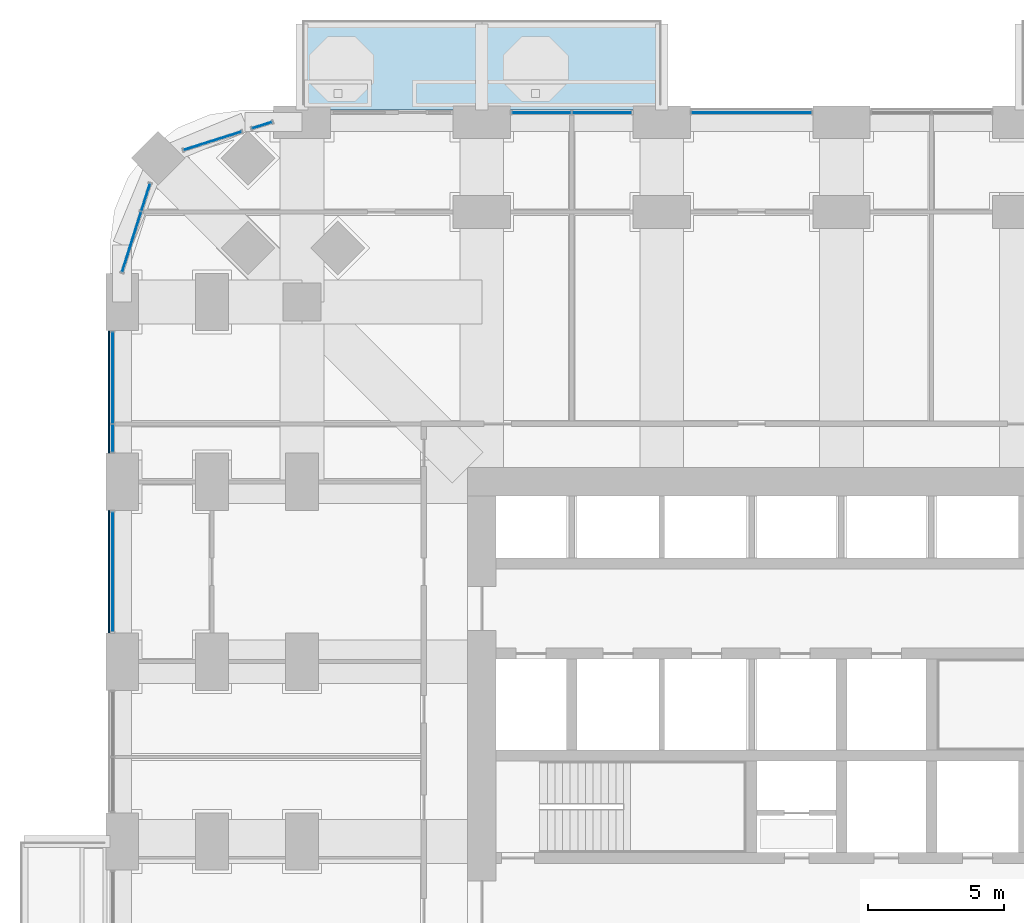
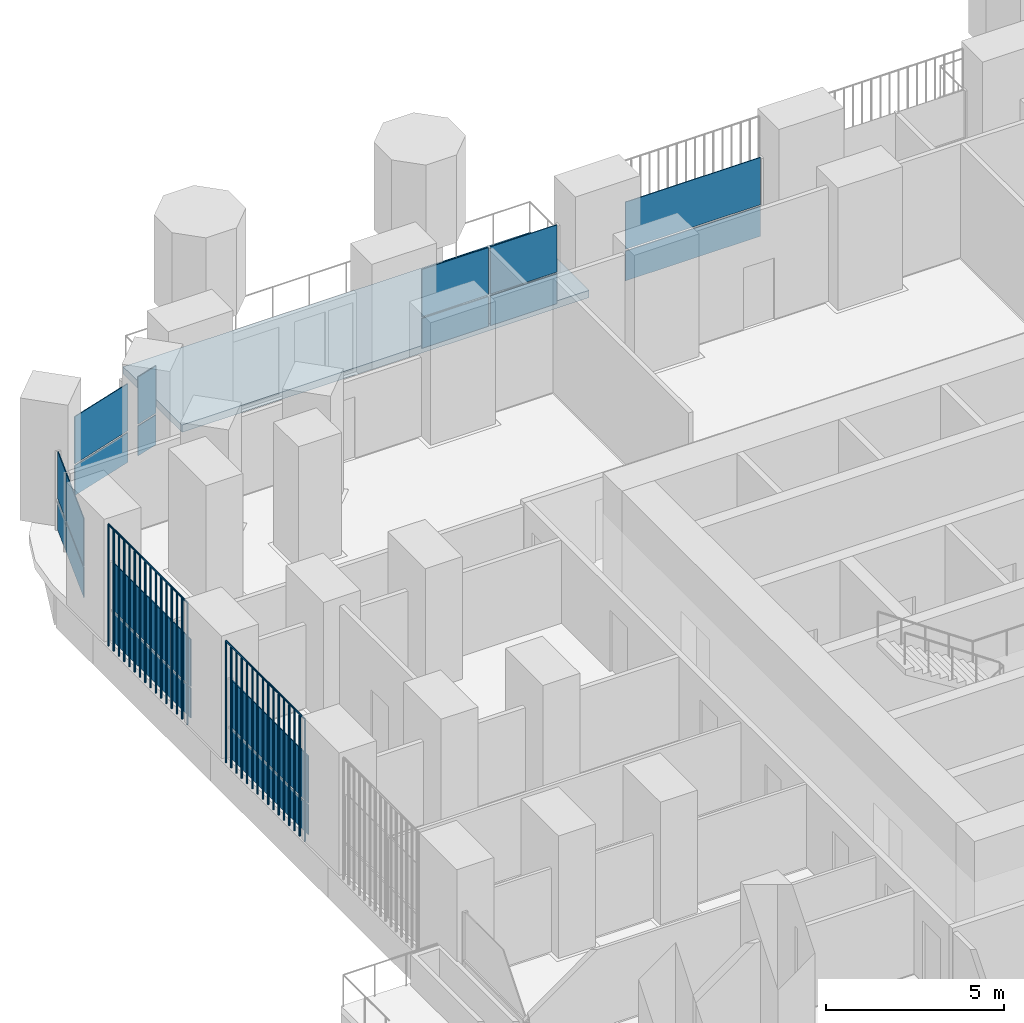
# One storey, part 15 of 27: 22 plates, 1 slab, 7 elements without a shape of their own.
"""IFC4 building model written with IfcOpenShell, lengths in metres."""

from ifc_helpers import new_model, si_unit, direction, frame, origin, origin_2d, place, context, subcontext, project, spatial, polyline, rectangle, outline, extrude, material, layer, layer_set, type_object, element, aggregate, save


model = new_model("IFC4")

# Units and contexts
model_context = context("Model", 3, precision=1e-05, world=origin(), true_north=direction((0.0, 1.0)))
body_context = subcontext(model_context, "Body", "Model", "MODEL_VIEW")
ifc_project = project(units=[si_unit("LENGTHUNIT", "METRE"), si_unit("AREAUNIT", "SQUARE_METRE"), si_unit("VOLUMEUNIT", "CUBIC_METRE"), si_unit("PLANEANGLEUNIT", "RADIAN"), si_unit("MASSUNIT", "GRAM", prefix="KILO")], contexts=[model_context])

# Site, building, storey
site_placement = place(None, origin())
site = spatial("IfcSite", under=ifc_project, at=site_placement, CompositionType="ELEMENT")
building_placement = place(site_placement, origin())
building = spatial("IfcBuilding", under=site, at=building_placement, Name="Cobogo Forest Laboratory Tower", CompositionType="ELEMENT")
storey_placement = place(building_placement, frame((0.0, 0.0, 54.89990234375)))
storey = spatial("IfcBuildingStorey", under=building, at=storey_placement, Name="L12", CompositionType="ELEMENT", Elevation=54.89990234375)

# Slab
ifc_material_1 = material(Name="Concrete HA-40 (C40/50)", Category="concrete")
ifc_layer_1 = layer(ifc_material_1, 0.25)
ifc_layer_set_1 = layer_set([ifc_layer_1], Name="Balcony slab 250")
slab_type = type_object("IfcSlabType", Name="Balcony slab 250", PredefinedType="FLOOR", material=ifc_layer_set_1)
slab_placement = place(storey_placement, frame((0.0, 0.0, -0.25)))
element("IfcSlab", 1, at=slab_placement, inside=storey, type_object=slab_type, Name="Balcony BAL-N1 L12", PredefinedType="FLOOR", context=body_context, shape_type="SweptSolid", body=[
    extrude(outline(polyline([(6.60009765625, 46.64990234375), (19.800048828125, 46.64990234375), (19.800048828125, 49.949951171875), (6.60009765625, 49.949951171875), (6.60009765625, 46.64990234375)])), origin(), (0.0, 0.0, 1.0), 0.25),
])

# Curtain wall, plates
ifc_material_2 = material(Name="Aluminium curtain wall", Category="aluminium")
curtain_wall_type = type_object("IfcCurtainWallType", Name="CW-1 unitised curtain wall, clear glazing, laboratory floors zones A and B", PredefinedType="USERDEFINED", material=ifc_material_2)
curtain_wall_1_placement = place(storey_placement, origin())
curtain_wall_1 = element("IfcCurtainWall", 2, at=curtain_wall_1_placement, inside=storey, type_object=curtain_wall_type, Name="Curtain wall 21 L12", ObjectType="UNITISED CURTAIN WALL", PredefinedType="USERDEFINED")
ifc_material_3 = material(Name="Clear insulated glass", Category="glass")
ifc_layer_2 = layer(ifc_material_3, 0.028076171875)
ifc_layer_set_2 = layer_set([ifc_layer_2], Name="GP-1 clear insulated glass unit 28")
plate_type_1 = type_object("IfcPlateType", Name="GP-1 clear insulated glass unit 28", PredefinedType="CURTAIN_PANEL", material=ifc_layer_set_2)
plate_1_placement = place(storey_placement, frame((23.10009765625, 46.550048828125, 0.0), z_axis=(0.0, 0.0, 1.0), x_axis=(-1.0, 0.0, 0.0)))
plate_1 = element("IfcPlate", 3, at=plate_1_placement, type_object=plate_type_1, Name="CW-1 panel 1.1", PredefinedType="CURTAIN_PANEL", context=body_context, shape_type="SweptSolid", body=[
    extrude(rectangle(XDim=4.3798828125, YDim=0.028076171875, at=origin_2d()), origin(), (0.0, 0.0, 1.0), 1.02001953125),
])
plate_2_placement = place(storey_placement, frame((23.10009765625, 46.550048828125, 1.080078125), z_axis=(0.0, 0.0, 1.0), x_axis=(-1.0, 0.0, 0.0)))
plate_2 = element("IfcPlate", 4, at=plate_2_placement, type_object=plate_type_1, Name="CW-1 panel 1.2", PredefinedType="CURTAIN_PANEL", context=body_context, shape_type="SweptSolid", body=[
    extrude(rectangle(XDim=4.3798828125, YDim=0.028076171875, at=origin_2d()), origin(), (0.0, 0.0, 1.0), 1.6201171875),
])
aggregate(curtain_wall_1, [plate_1, plate_2])

curtain_wall_2_placement = place(storey_placement, origin())
curtain_wall_2 = element("IfcCurtainWall", 5, at=curtain_wall_2_placement, inside=storey, type_object=curtain_wall_type, Name="Curtain wall 22 L12", ObjectType="UNITISED CURTAIN WALL", PredefinedType="USERDEFINED")
plate_3_placement = place(storey_placement, frame((17.610107421875, 46.550048828125, 0.0), z_axis=(0.0, 0.0, 1.0), x_axis=(-1.0, 0.0, 0.0)))
plate_3 = element("IfcPlate", 6, at=plate_3_placement, type_object=plate_type_1, Name="CW-1 panel 1.1", PredefinedType="CURTAIN_PANEL", context=body_context, shape_type="SweptSolid", body=[
    extrude(rectangle(XDim=2.159912109375, YDim=0.028076171875, at=origin_2d()), origin(), (0.0, 0.0, 1.0), 1.02001953125),
])
plate_4_placement = place(storey_placement, frame((17.610107421875, 46.550048828125, 1.080078125), z_axis=(0.0, 0.0, 1.0), x_axis=(-1.0, 0.0, 0.0)))
plate_4 = element("IfcPlate", 7, at=plate_4_placement, type_object=plate_type_1, Name="CW-1 panel 1.2", PredefinedType="CURTAIN_PANEL", context=body_context, shape_type="SweptSolid", body=[
    extrude(rectangle(XDim=2.159912109375, YDim=0.028076171875, at=origin_2d()), origin(), (0.0, 0.0, 1.0), 1.6201171875),
])
plate_5_placement = place(storey_placement, frame((15.389892578125, 46.550048828125, 0.0), z_axis=(0.0, 0.0, 1.0), x_axis=(-1.0, 0.0, 0.0)))
plate_5 = element("IfcPlate", 8, at=plate_5_placement, type_object=plate_type_1, Name="CW-1 panel 2.1", PredefinedType="CURTAIN_PANEL", context=body_context, shape_type="SweptSolid", body=[
    extrude(rectangle(XDim=2.159912109375, YDim=0.028076171875, at=origin_2d()), origin(), (0.0, 0.0, 1.0), 1.02001953125),
])
plate_6_placement = place(storey_placement, frame((15.389892578125, 46.550048828125, 1.080078125), z_axis=(0.0, 0.0, 1.0), x_axis=(-1.0, 0.0, 0.0)))
plate_6 = element("IfcPlate", 9, at=plate_6_placement, type_object=plate_type_1, Name="CW-1 panel 2.2", PredefinedType="CURTAIN_PANEL", context=body_context, shape_type="SweptSolid", body=[
    extrude(rectangle(XDim=2.159912109375, YDim=0.028076171875, at=origin_2d()), origin(), (0.0, 0.0, 1.0), 1.6201171875),
])
aggregate(curtain_wall_2, [plate_3, plate_4, plate_5, plate_6])

curtain_wall_3_placement = place(storey_placement, origin())
curtain_wall_3 = element("IfcCurtainWall", 10, at=curtain_wall_3_placement, inside=storey, type_object=curtain_wall_type, Name="Curtain wall 24 L12", ObjectType="UNITISED CURTAIN WALL", PredefinedType="USERDEFINED")
plate_7_placement = place(storey_placement, frame((5.134033203125, 46.087158203125, 0.0), z_axis=(0.0, 0.0, 1.0), x_axis=(-0.953581504428, -0.301135043481, 0.0)))
plate_7 = element("IfcPlate", 11, at=plate_7_placement, type_object=plate_type_1, Name="CW-1 panel 1.1", PredefinedType="CURTAIN_PANEL", context=body_context, shape_type="SweptSolid", body=[
    extrude(rectangle(XDim=0.75244140625, YDim=0.028076171875, at=origin_2d()), origin(), (0.0, 0.0, 1.0), 1.02001953125),
])
plate_8_placement = place(storey_placement, frame((5.134033203125, 46.087158203125, 1.080078125), z_axis=(0.0, 0.0, 1.0), x_axis=(-0.953581504428, -0.301135043481, 0.0)))
plate_8 = element("IfcPlate", 12, at=plate_8_placement, type_object=plate_type_1, Name="CW-1 panel 1.2", PredefinedType="CURTAIN_PANEL", context=body_context, shape_type="SweptSolid", body=[
    extrude(rectangle(XDim=0.75244140625, YDim=0.028076171875, at=origin_2d()), origin(), (0.0, 0.0, 1.0), 1.6201171875),
])
aggregate(curtain_wall_3, [plate_7, plate_8])

curtain_wall_4_placement = place(storey_placement, origin())
curtain_wall_4 = element("IfcCurtainWall", 13, at=curtain_wall_4_placement, inside=storey, type_object=curtain_wall_type, Name="Curtain wall 25 L12", ObjectType="UNITISED CURTAIN WALL", PredefinedType="USERDEFINED")
plate_9_placement = place(storey_placement, frame((3.31787109375, 45.513427734375, 0.0), z_axis=(0.0, 0.0, 1.0), x_axis=(-0.953581409645, -0.301135343623, 0.0)))
plate_9 = element("IfcPlate", 14, at=plate_9_placement, type_object=plate_type_1, Name="CW-1 panel 1.1", PredefinedType="CURTAIN_PANEL", context=body_context, shape_type="SweptSolid", body=[
    extrude(rectangle(XDim=2.203369140625, YDim=0.028076171875, at=origin_2d()), origin(), (0.0, 0.0, 1.0), 1.02001953125),
])
plate_10_placement = place(storey_placement, frame((3.31787109375, 45.513427734375, 1.080078125), z_axis=(0.0, 0.0, 1.0), x_axis=(-0.953581409645, -0.301135343623, 0.0)))
plate_10 = element("IfcPlate", 15, at=plate_10_placement, type_object=plate_type_1, Name="CW-1 panel 1.2", PredefinedType="CURTAIN_PANEL", context=body_context, shape_type="SweptSolid", body=[
    extrude(rectangle(XDim=2.203369140625, YDim=0.028076171875, at=origin_2d()), origin(), (0.0, 0.0, 1.0), 1.6201171875),
])
aggregate(curtain_wall_4, [plate_9, plate_10])

curtain_wall_5_placement = place(storey_placement, origin())
curtain_wall_5 = element("IfcCurtainWall", 16, at=curtain_wall_5_placement, inside=storey, type_object=curtain_wall_type, Name="Curtain wall 26 L12", ObjectType="UNITISED CURTAIN WALL", PredefinedType="USERDEFINED")
plate_11_placement = place(storey_placement, frame((0.863525390625, 43.442626953125, 0.0), z_axis=(0.0, 0.0, 1.0), x_axis=(-0.30113535792, -0.95358140513, 0.0)))
plate_11 = element("IfcPlate", 17, at=plate_11_placement, type_object=plate_type_1, Name="CW-1 panel 1.1", PredefinedType="CURTAIN_PANEL", context=body_context, shape_type="SweptSolid", body=[
    extrude(rectangle(XDim=1.027587890625, YDim=0.028076171875, at=origin_2d()), origin(), (0.0, 0.0, 1.0), 1.02001953125),
])
plate_12_placement = place(storey_placement, frame((0.863525390625, 43.442626953125, 1.080078125), z_axis=(0.0, 0.0, 1.0), x_axis=(-0.30113535792, -0.95358140513, 0.0)))
plate_12 = element("IfcPlate", 18, at=plate_12_placement, type_object=plate_type_1, Name="CW-1 panel 1.2", PredefinedType="CURTAIN_PANEL", context=body_context, shape_type="SweptSolid", body=[
    extrude(rectangle(XDim=1.027587890625, YDim=0.028076171875, at=origin_2d()), origin(), (0.0, 0.0, 1.0), 1.6201171875),
])
plate_13_placement = place(storey_placement, frame((0.34521484375, 41.80126953125, 0.0), z_axis=(0.0, 0.0, 1.0), x_axis=(-0.30113535792, -0.95358140513, 0.0)))
plate_13 = element("IfcPlate", 19, at=plate_13_placement, type_object=plate_type_1, Name="CW-1 panel 2.1", PredefinedType="CURTAIN_PANEL", context=body_context, shape_type="SweptSolid", body=[
    extrude(rectangle(XDim=2.294677734375, YDim=0.028076171875, at=origin_2d()), origin(), (0.0, 0.0, 1.0), 1.02001953125),
])
plate_14_placement = place(storey_placement, frame((0.34521484375, 41.80126953125, 1.080078125), z_axis=(0.0, 0.0, 1.0), x_axis=(-0.30113535792, -0.95358140513, 0.0)))
plate_14 = element("IfcPlate", 20, at=plate_14_placement, type_object=plate_type_1, Name="CW-1 panel 2.2", PredefinedType="CURTAIN_PANEL", context=body_context, shape_type="SweptSolid", body=[
    extrude(rectangle(XDim=2.294677734375, YDim=0.028076171875, at=origin_2d()), origin(), (0.0, 0.0, 1.0), 1.6201171875),
])
aggregate(curtain_wall_5, [plate_11, plate_12, plate_13, plate_14])

curtain_wall_6_placement = place(storey_placement, origin())
curtain_wall_6 = element("IfcCurtainWall", 21, at=curtain_wall_6_placement, inside=storey, type_object=curtain_wall_type, Name="Curtain wall 27 L12", ObjectType="UNITISED CURTAIN WALL", PredefinedType="USERDEFINED")
plate_15_placement = place(storey_placement, frame((-0.35009765625, 36.822509765625, 0.0), z_axis=(0.0, 0.0, 1.0), x_axis=(0.0, -1.0, 0.0)))
plate_15 = element("IfcPlate", 22, at=plate_15_placement, type_object=plate_type_1, Name="CW-1 panel 1.1", PredefinedType="CURTAIN_PANEL", context=body_context, shape_type="SweptSolid", body=[
    extrude(rectangle(XDim=3.3349609375, YDim=0.028076171875, at=origin_2d()), origin(), (0.0, 0.0, 1.0), 1.02001953125),
])
plate_16_placement = place(storey_placement, frame((-0.35009765625, 36.822509765625, 1.080078125), z_axis=(0.0, 0.0, 1.0), x_axis=(0.0, -1.0, 0.0)))
plate_16 = element("IfcPlate", 23, at=plate_16_placement, type_object=plate_type_1, Name="CW-1 panel 1.2", PredefinedType="CURTAIN_PANEL", context=body_context, shape_type="SweptSolid", body=[
    extrude(rectangle(XDim=3.3349609375, YDim=0.028076171875, at=origin_2d()), origin(), (0.0, 0.0, 1.0), 1.6201171875),
])
plate_17_placement = place(storey_placement, frame((-0.35009765625, 34.6025390625, 0.0), z_axis=(0.0, 0.0, 1.0), x_axis=(0.0, -1.0, 0.0)))
plate_17 = element("IfcPlate", 24, at=plate_17_placement, type_object=plate_type_1, Name="CW-1 panel 2.1", PredefinedType="CURTAIN_PANEL", context=body_context, shape_type="SweptSolid", body=[
    extrude(rectangle(XDim=0.985107421875, YDim=0.028076171875, at=origin_2d()), origin(), (0.0, 0.0, 1.0), 1.02001953125),
])
plate_18_placement = place(storey_placement, frame((-0.35009765625, 34.6025390625, 1.080078125), z_axis=(0.0, 0.0, 1.0), x_axis=(0.0, -1.0, 0.0)))
plate_18 = element("IfcPlate", 25, at=plate_18_placement, type_object=plate_type_1, Name="CW-1 panel 2.2", PredefinedType="CURTAIN_PANEL", context=body_context, shape_type="SweptSolid", body=[
    extrude(rectangle(XDim=0.985107421875, YDim=0.028076171875, at=origin_2d()), origin(), (0.0, 0.0, 1.0), 1.6201171875),
])
aggregate(curtain_wall_6, [plate_15, plate_16, plate_17, plate_18])

curtain_wall_7_placement = place(storey_placement, origin())
curtain_wall_7 = element("IfcCurtainWall", 26, at=curtain_wall_7_placement, inside=storey, type_object=curtain_wall_type, Name="Curtain wall 28 L12", ObjectType="UNITISED CURTAIN WALL", PredefinedType="USERDEFINED")
plate_19_placement = place(storey_placement, frame((-0.35009765625, 29.699951171875, 0.0), z_axis=(0.0, 0.0, 1.0), x_axis=(0.0, -1.0, 0.0)))
plate_19 = element("IfcPlate", 27, at=plate_19_placement, type_object=plate_type_1, Name="CW-1 panel 1.1", PredefinedType="CURTAIN_PANEL", context=body_context, shape_type="SweptSolid", body=[
    extrude(rectangle(XDim=4.3798828125, YDim=0.028076171875, at=origin_2d()), origin(), (0.0, 0.0, 1.0), 1.02001953125),
])
plate_20_placement = place(storey_placement, frame((-0.35009765625, 29.699951171875, 1.080078125), z_axis=(0.0, 0.0, 1.0), x_axis=(0.0, -1.0, 0.0)))
plate_20 = element("IfcPlate", 28, at=plate_20_placement, type_object=plate_type_1, Name="CW-1 panel 1.2", PredefinedType="CURTAIN_PANEL", context=body_context, shape_type="SweptSolid", body=[
    extrude(rectangle(XDim=4.3798828125, YDim=0.028076171875, at=origin_2d()), origin(), (0.0, 0.0, 1.0), 1.6201171875),
])
aggregate(curtain_wall_7, [plate_19, plate_20])

# Plates
ifc_material_4 = material(Name="Terracotta", Category="masonry")
plate_type_2 = type_object("IfcPlateType", Name="TB1 terracotta baguette screen", PredefinedType="USERDEFINED", material=ifc_material_4)
plate_21_placement = place(storey_placement, frame((-0.477783203125, 27.481201171875, -0.14990234375)))
element("IfcPlate", 29, at=plate_21_placement, inside=storey, type_object=plate_type_2, Name="Baguette screen W4 L12", ObjectType="BAGUETTE SCREEN", PredefinedType="USERDEFINED", context=body_context, shape_type="SweptSolid", body=[
    extrude(outline(polyline([(0.02880859375, 0.011962890625), (0.011962890625, 0.02880859375), (-0.011962890625, 0.02880859375), (-0.02880859375, 0.011962890625), (-0.02880859375, -0.011962890625), (-0.011962890625, -0.02880859375), (0.011962890625, -0.02880859375), (0.02880859375, -0.011962890625), (0.02880859375, 0.011962890625)])), frame((0.0, 0.0, 4.168701171875), z_axis=(0.0, 1.0, 0.0), x_axis=(-1.0, 0.0, 0.0)), (0.0, 0.0, 1.0), 4.4375),
    extrude(outline(polyline([(0.02880859375, 0.011962890625), (0.011962890625, 0.02880859375), (-0.011962890625, 0.02880859375), (-0.02880859375, 0.011962890625), (-0.02880859375, -0.011962890625), (-0.011962890625, -0.02880859375), (0.011962890625, -0.02880859375), (0.02880859375, -0.011962890625), (0.02880859375, 0.011962890625)])), origin(), (0.0, 0.0, 1.0), 4.137451171875),
    extrude(outline(polyline([(0.02880859375, 0.011962890625), (0.011962890625, 0.02880859375), (-0.011962890625, 0.02880859375), (-0.02880859375, 0.011962890625), (-0.02880859375, -0.011962890625), (-0.011962890625, -0.02880859375), (0.011962890625, -0.02880859375), (0.02880859375, -0.011962890625), (0.02880859375, 0.011962890625)])), frame((0.0, 0.2958984375, 0.0)), (0.0, 0.0, 1.0), 4.137451171875),
    extrude(outline(polyline([(0.02880859375, 0.011962890625), (0.011962890625, 0.02880859375), (-0.011962890625, 0.02880859375), (-0.02880859375, 0.011962890625), (-0.02880859375, -0.011962890625), (-0.011962890625, -0.02880859375), (0.011962890625, -0.02880859375), (0.02880859375, -0.011962890625), (0.02880859375, 0.011962890625)])), frame((0.0, 0.591552734375, 0.0)), (0.0, 0.0, 1.0), 4.137451171875),
    extrude(outline(polyline([(0.02880859375, 0.011962890625), (0.011962890625, 0.02880859375), (-0.011962890625, 0.02880859375), (-0.02880859375, 0.011962890625), (-0.02880859375, -0.011962890625), (-0.011962890625, -0.02880859375), (0.011962890625, -0.02880859375), (0.02880859375, -0.011962890625), (0.02880859375, 0.011962890625)])), frame((0.0, 0.887451171875, 0.0)), (0.0, 0.0, 1.0), 4.137451171875),
    extrude(outline(polyline([(0.02880859375, 0.011962890625), (0.011962890625, 0.02880859375), (-0.011962890625, 0.02880859375), (-0.02880859375, 0.011962890625), (-0.02880859375, -0.011962890625), (-0.011962890625, -0.02880859375), (0.011962890625, -0.02880859375), (0.02880859375, -0.011962890625), (0.02880859375, 0.011962890625)])), frame((0.0, 1.183349609375, 0.0)), (0.0, 0.0, 1.0), 4.137451171875),
    extrude(outline(polyline([(0.02880859375, 0.011962890625), (0.011962890625, 0.02880859375), (-0.011962890625, 0.02880859375), (-0.02880859375, 0.011962890625), (-0.02880859375, -0.011962890625), (-0.011962890625, -0.02880859375), (0.011962890625, -0.02880859375), (0.02880859375, -0.011962890625), (0.02880859375, 0.011962890625)])), frame((0.0, 1.479248046875, 0.0)), (0.0, 0.0, 1.0), 4.137451171875),
    extrude(outline(polyline([(0.02880859375, 0.011962890625), (0.011962890625, 0.02880859375), (-0.011962890625, 0.02880859375), (-0.02880859375, 0.011962890625), (-0.02880859375, -0.011962890625), (-0.011962890625, -0.02880859375), (0.011962890625, -0.02880859375), (0.02880859375, -0.011962890625), (0.02880859375, 0.011962890625)])), frame((0.0, 1.77490234375, 0.0)), (0.0, 0.0, 1.0), 4.137451171875),
    extrude(outline(polyline([(0.02880859375, 0.011962890625), (0.011962890625, 0.02880859375), (-0.011962890625, 0.02880859375), (-0.02880859375, 0.011962890625), (-0.02880859375, -0.011962890625), (-0.011962890625, -0.02880859375), (0.011962890625, -0.02880859375), (0.02880859375, -0.011962890625), (0.02880859375, 0.011962890625)])), frame((0.0, 2.07080078125, 0.0)), (0.0, 0.0, 1.0), 4.137451171875),
    extrude(outline(polyline([(0.02880859375, 0.011962890625), (0.011962890625, 0.02880859375), (-0.011962890625, 0.02880859375), (-0.02880859375, 0.011962890625), (-0.02880859375, -0.011962890625), (-0.011962890625, -0.02880859375), (0.011962890625, -0.02880859375), (0.02880859375, -0.011962890625), (0.02880859375, 0.011962890625)])), frame((0.0, 2.36669921875, 0.0)), (0.0, 0.0, 1.0), 4.137451171875),
    extrude(outline(polyline([(0.02880859375, 0.011962890625), (0.011962890625, 0.02880859375), (-0.011962890625, 0.02880859375), (-0.02880859375, 0.011962890625), (-0.02880859375, -0.011962890625), (-0.011962890625, -0.02880859375), (0.011962890625, -0.02880859375), (0.02880859375, -0.011962890625), (0.02880859375, 0.011962890625)])), frame((0.0, 2.66259765625, 0.0)), (0.0, 0.0, 1.0), 4.137451171875),
    extrude(outline(polyline([(0.02880859375, 0.011962890625), (0.011962890625, 0.02880859375), (-0.011962890625, 0.02880859375), (-0.02880859375, 0.011962890625), (-0.02880859375, -0.011962890625), (-0.011962890625, -0.02880859375), (0.011962890625, -0.02880859375), (0.02880859375, -0.011962890625), (0.02880859375, 0.011962890625)])), frame((0.0, 2.958251953125, 0.0)), (0.0, 0.0, 1.0), 4.137451171875),
    extrude(outline(polyline([(0.02880859375, 0.011962890625), (0.011962890625, 0.02880859375), (-0.011962890625, 0.02880859375), (-0.02880859375, 0.011962890625), (-0.02880859375, -0.011962890625), (-0.011962890625, -0.02880859375), (0.011962890625, -0.02880859375), (0.02880859375, -0.011962890625), (0.02880859375, 0.011962890625)])), frame((0.0, 3.254150390625, 0.0)), (0.0, 0.0, 1.0), 4.137451171875),
    extrude(outline(polyline([(0.02880859375, 0.011962890625), (0.011962890625, 0.02880859375), (-0.011962890625, 0.02880859375), (-0.02880859375, 0.011962890625), (-0.02880859375, -0.011962890625), (-0.011962890625, -0.02880859375), (0.011962890625, -0.02880859375), (0.02880859375, -0.011962890625), (0.02880859375, 0.011962890625)])), frame((0.0, 3.550048828125, 0.0)), (0.0, 0.0, 1.0), 4.137451171875),
    extrude(outline(polyline([(0.02880859375, 0.011962890625), (0.011962890625, 0.02880859375), (-0.011962890625, 0.02880859375), (-0.02880859375, 0.011962890625), (-0.02880859375, -0.011962890625), (-0.011962890625, -0.02880859375), (0.011962890625, -0.02880859375), (0.02880859375, -0.011962890625), (0.02880859375, 0.011962890625)])), frame((0.0, 3.845947265625, 0.0)), (0.0, 0.0, 1.0), 4.137451171875),
    extrude(outline(polyline([(0.02880859375, 0.011962890625), (0.011962890625, 0.02880859375), (-0.011962890625, 0.02880859375), (-0.02880859375, 0.011962890625), (-0.02880859375, -0.011962890625), (-0.011962890625, -0.02880859375), (0.011962890625, -0.02880859375), (0.02880859375, -0.011962890625), (0.02880859375, 0.011962890625)])), frame((0.0, 4.1416015625, 0.0)), (0.0, 0.0, 1.0), 4.137451171875),
    extrude(outline(polyline([(0.02880859375, 0.011962890625), (0.011962890625, 0.02880859375), (-0.011962890625, 0.02880859375), (-0.02880859375, 0.011962890625), (-0.02880859375, -0.011962890625), (-0.011962890625, -0.02880859375), (0.011962890625, -0.02880859375), (0.02880859375, -0.011962890625), (0.02880859375, 0.011962890625)])), frame((0.0, 4.4375, 0.0)), (0.0, 0.0, 1.0), 4.137451171875),
])
plate_22_placement = place(storey_placement, frame((-0.477783203125, 34.081298828125, -0.14990234375)))
element("IfcPlate", 30, at=plate_22_placement, inside=storey, type_object=plate_type_2, Name="Baguette screen W5 L12", ObjectType="BAGUETTE SCREEN", PredefinedType="USERDEFINED", context=body_context, shape_type="SweptSolid", body=[
    extrude(outline(polyline([(0.02880859375, 0.011962890625), (0.011962890625, 0.02880859375), (-0.011962890625, 0.02880859375), (-0.02880859375, 0.011962890625), (-0.02880859375, -0.011962890625), (-0.011962890625, -0.02880859375), (0.011962890625, -0.02880859375), (0.02880859375, -0.011962890625), (0.02880859375, 0.011962890625)])), frame((0.0, 0.0, 4.168701171875), z_axis=(0.0, 1.0, 0.0), x_axis=(-1.0, 0.0, 0.0)), (0.0, 0.0, 1.0), 4.4375),
    extrude(outline(polyline([(0.02880859375, 0.011962890625), (0.011962890625, 0.02880859375), (-0.011962890625, 0.02880859375), (-0.02880859375, 0.011962890625), (-0.02880859375, -0.011962890625), (-0.011962890625, -0.02880859375), (0.011962890625, -0.02880859375), (0.02880859375, -0.011962890625), (0.02880859375, 0.011962890625)])), origin(), (0.0, 0.0, 1.0), 4.137451171875),
    extrude(outline(polyline([(0.02880859375, 0.011962890625), (0.011962890625, 0.02880859375), (-0.011962890625, 0.02880859375), (-0.02880859375, 0.011962890625), (-0.02880859375, -0.011962890625), (-0.011962890625, -0.02880859375), (0.011962890625, -0.02880859375), (0.02880859375, -0.011962890625), (0.02880859375, 0.011962890625)])), frame((0.0, 0.2958984375, 0.0)), (0.0, 0.0, 1.0), 4.137451171875),
    extrude(outline(polyline([(0.02880859375, 0.011962890625), (0.011962890625, 0.02880859375), (-0.011962890625, 0.02880859375), (-0.02880859375, 0.011962890625), (-0.02880859375, -0.011962890625), (-0.011962890625, -0.02880859375), (0.011962890625, -0.02880859375), (0.02880859375, -0.011962890625), (0.02880859375, 0.011962890625)])), frame((0.0, 0.591552734375, 0.0)), (0.0, 0.0, 1.0), 4.137451171875),
    extrude(outline(polyline([(0.02880859375, 0.011962890625), (0.011962890625, 0.02880859375), (-0.011962890625, 0.02880859375), (-0.02880859375, 0.011962890625), (-0.02880859375, -0.011962890625), (-0.011962890625, -0.02880859375), (0.011962890625, -0.02880859375), (0.02880859375, -0.011962890625), (0.02880859375, 0.011962890625)])), frame((0.0, 0.887451171875, 0.0)), (0.0, 0.0, 1.0), 4.137451171875),
    extrude(outline(polyline([(0.02880859375, 0.011962890625), (0.011962890625, 0.02880859375), (-0.011962890625, 0.02880859375), (-0.02880859375, 0.011962890625), (-0.02880859375, -0.011962890625), (-0.011962890625, -0.02880859375), (0.011962890625, -0.02880859375), (0.02880859375, -0.011962890625), (0.02880859375, 0.011962890625)])), frame((0.0, 1.183349609375, 0.0)), (0.0, 0.0, 1.0), 4.137451171875),
    extrude(outline(polyline([(0.02880859375, 0.011962890625), (0.011962890625, 0.02880859375), (-0.011962890625, 0.02880859375), (-0.02880859375, 0.011962890625), (-0.02880859375, -0.011962890625), (-0.011962890625, -0.02880859375), (0.011962890625, -0.02880859375), (0.02880859375, -0.011962890625), (0.02880859375, 0.011962890625)])), frame((0.0, 1.479248046875, 0.0)), (0.0, 0.0, 1.0), 4.137451171875),
    extrude(outline(polyline([(0.02880859375, 0.011962890625), (0.011962890625, 0.02880859375), (-0.011962890625, 0.02880859375), (-0.02880859375, 0.011962890625), (-0.02880859375, -0.011962890625), (-0.011962890625, -0.02880859375), (0.011962890625, -0.02880859375), (0.02880859375, -0.011962890625), (0.02880859375, 0.011962890625)])), frame((0.0, 1.77490234375, 0.0)), (0.0, 0.0, 1.0), 4.137451171875),
    extrude(outline(polyline([(0.02880859375, 0.011962890625), (0.011962890625, 0.02880859375), (-0.011962890625, 0.02880859375), (-0.02880859375, 0.011962890625), (-0.02880859375, -0.011962890625), (-0.011962890625, -0.02880859375), (0.011962890625, -0.02880859375), (0.02880859375, -0.011962890625), (0.02880859375, 0.011962890625)])), frame((0.0, 2.07080078125, 0.0)), (0.0, 0.0, 1.0), 4.137451171875),
    extrude(outline(polyline([(0.02880859375, 0.011962890625), (0.011962890625, 0.02880859375), (-0.011962890625, 0.02880859375), (-0.02880859375, 0.011962890625), (-0.02880859375, -0.011962890625), (-0.011962890625, -0.02880859375), (0.011962890625, -0.02880859375), (0.02880859375, -0.011962890625), (0.02880859375, 0.011962890625)])), frame((0.0, 2.36669921875, 0.0)), (0.0, 0.0, 1.0), 4.137451171875),
    extrude(outline(polyline([(0.02880859375, 0.011962890625), (0.011962890625, 0.02880859375), (-0.011962890625, 0.02880859375), (-0.02880859375, 0.011962890625), (-0.02880859375, -0.011962890625), (-0.011962890625, -0.02880859375), (0.011962890625, -0.02880859375), (0.02880859375, -0.011962890625), (0.02880859375, 0.011962890625)])), frame((0.0, 2.66259765625, 0.0)), (0.0, 0.0, 1.0), 4.137451171875),
    extrude(outline(polyline([(0.02880859375, 0.011962890625), (0.011962890625, 0.02880859375), (-0.011962890625, 0.02880859375), (-0.02880859375, 0.011962890625), (-0.02880859375, -0.011962890625), (-0.011962890625, -0.02880859375), (0.011962890625, -0.02880859375), (0.02880859375, -0.011962890625), (0.02880859375, 0.011962890625)])), frame((0.0, 2.958251953125, 0.0)), (0.0, 0.0, 1.0), 4.137451171875),
    extrude(outline(polyline([(0.02880859375, 0.011962890625), (0.011962890625, 0.02880859375), (-0.011962890625, 0.02880859375), (-0.02880859375, 0.011962890625), (-0.02880859375, -0.011962890625), (-0.011962890625, -0.02880859375), (0.011962890625, -0.02880859375), (0.02880859375, -0.011962890625), (0.02880859375, 0.011962890625)])), frame((0.0, 3.254150390625, 0.0)), (0.0, 0.0, 1.0), 4.137451171875),
    extrude(outline(polyline([(0.02880859375, 0.011962890625), (0.011962890625, 0.02880859375), (-0.011962890625, 0.02880859375), (-0.02880859375, 0.011962890625), (-0.02880859375, -0.011962890625), (-0.011962890625, -0.02880859375), (0.011962890625, -0.02880859375), (0.02880859375, -0.011962890625), (0.02880859375, 0.011962890625)])), frame((0.0, 3.550048828125, 0.0)), (0.0, 0.0, 1.0), 4.137451171875),
    extrude(outline(polyline([(0.02880859375, 0.011962890625), (0.011962890625, 0.02880859375), (-0.011962890625, 0.02880859375), (-0.02880859375, 0.011962890625), (-0.02880859375, -0.011962890625), (-0.011962890625, -0.02880859375), (0.011962890625, -0.02880859375), (0.02880859375, -0.011962890625), (0.02880859375, 0.011962890625)])), frame((0.0, 3.845947265625, 0.0)), (0.0, 0.0, 1.0), 4.137451171875),
    extrude(outline(polyline([(0.02880859375, 0.011962890625), (0.011962890625, 0.02880859375), (-0.011962890625, 0.02880859375), (-0.02880859375, 0.011962890625), (-0.02880859375, -0.011962890625), (-0.011962890625, -0.02880859375), (0.011962890625, -0.02880859375), (0.02880859375, -0.011962890625), (0.02880859375, 0.011962890625)])), frame((0.0, 4.1416015625, 0.0)), (0.0, 0.0, 1.0), 4.137451171875),
    extrude(outline(polyline([(0.02880859375, 0.011962890625), (0.011962890625, 0.02880859375), (-0.011962890625, 0.02880859375), (-0.02880859375, 0.011962890625), (-0.02880859375, -0.011962890625), (-0.011962890625, -0.02880859375), (0.011962890625, -0.02880859375), (0.02880859375, -0.011962890625), (0.02880859375, 0.011962890625)])), frame((0.0, 4.4375, 0.0)), (0.0, 0.0, 1.0), 4.137451171875),
])

save(model, "model.ifc")
